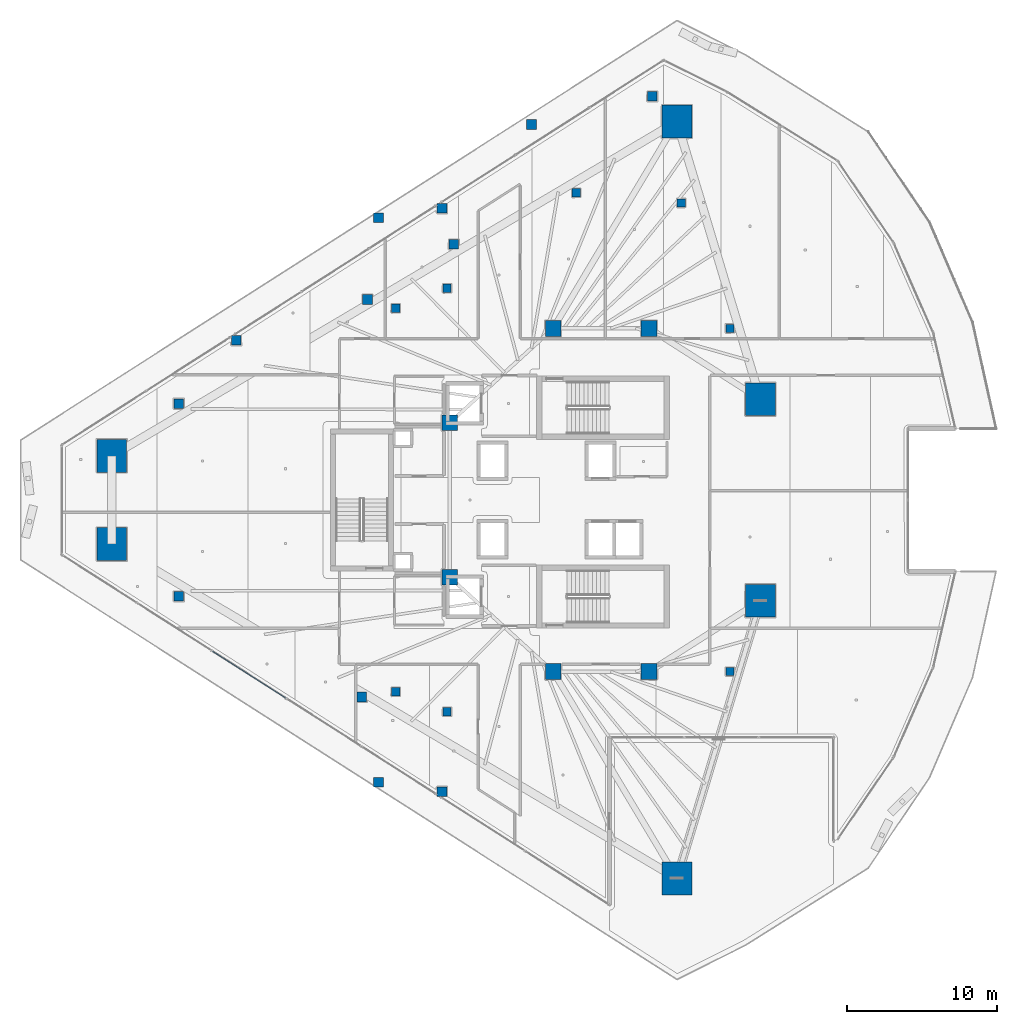
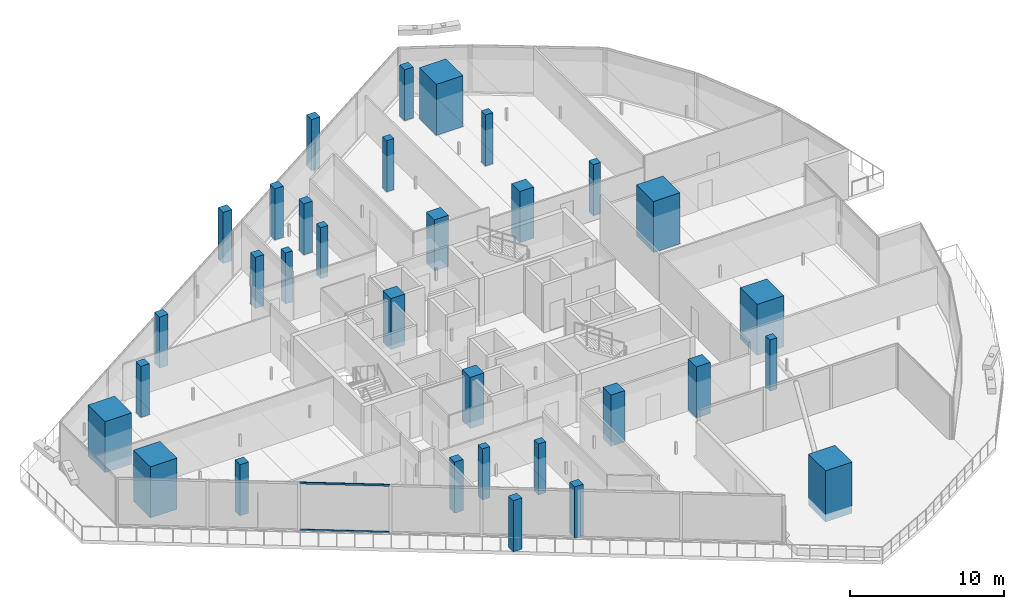
# One storey, part 1 of 38: 32 columns, 2 members, 1 element without a shape of its own.
"""IFC4 building model written with IfcOpenShell, lengths in metres."""

import ifcopenshell
import ifcopenshell.guid

model = None  # the IFC model being written
_history = None  # IfcOwnerHistory: only IFC2X3 demands one
_inside = {}  # id of a spatial element -> (the spatial element, [elements in it])
_under = {}  # id of a project, library or spatial element -> (it, [spatial elements below it])
_declared = {}  # id of a project -> (the project, [libraries it declares])
_typed = {}  # id of a type object -> (the type object, [elements of that type])
_made_of = {}  # id of a material, layer set ... -> (it, [elements and type objects made of it])


def new_model(schema):
    """Start an empty IFC model of exactly this schema.

    Asked for "IFC4X3", IfcOpenShell would pick the latest addendum, in which some entities
    have other attributes; the version numbers below select the first issue.
    IFC2X3 requires an IfcOwnerHistory on every rooted entity: one is made here for all.
    """
    global model, _history
    if schema == "IFC4X3":
        model = ifcopenshell.file(schema_version=(4, 3, 0, 0))
    else:
        model = ifcopenshell.file(schema=schema)
    _inside.clear()
    _under.clear()
    _declared.clear()
    _typed.clear()
    _made_of.clear()
    _history = None
    if model.schema == "IFC2X3":
        org = make("IfcOrganization", Name="unknown")
        user = make(
            "IfcPersonAndOrganization",
            ThePerson=make("IfcPerson", FamilyName="unknown"),
            TheOrganization=org,
        )
        app = make(
            "IfcApplication",
            ApplicationDeveloper=org,
            Version="unknown",
            ApplicationFullName="unknown",
            ApplicationIdentifier="unknown",
        )
        _history = make(
            "IfcOwnerHistory",
            OwningUser=user,
            OwningApplication=app,
            ChangeAction="ADDED",
            CreationDate=0,
        )
    return model


def make(cls, **values):
    """One entity of the class cls with the attributes given. An attribute that is None is left unset."""
    return model.create_entity(
        cls, **{name: value for name, value in values.items() if value is not None}
    )


def rooted(cls, **values):
    """An entity with a GlobalId (a new one), such as an element, a storey or a relation."""
    return make(cls, GlobalId=ifcopenshell.guid.new(), OwnerHistory=_history, **values)


def si_unit(unit_type, name, prefix=None):
    """IfcSIUnit, for example si_unit("LENGTHUNIT", "METRE", prefix="MILLI")."""
    return make("IfcSIUnit", UnitType=unit_type, Prefix=prefix, Name=name)


def assignment(units):
    """IfcUnitAssignment: the units of a project."""
    return None if units is None else make("IfcUnitAssignment", Units=units)


def point(xyz):
    """IfcCartesianPoint."""
    return None if xyz is None else make("IfcCartesianPoint", Coordinates=xyz)


def direction(xyz):
    """IfcDirection."""
    return None if xyz is None else make("IfcDirection", DirectionRatios=xyz)


def frame(location, z_axis=None, x_axis=None):
    """IfcAxis2Placement3D, a coordinate frame: its origin and axes. An axis left out is left unset."""
    return make(
        "IfcAxis2Placement3D",
        Location=point(location),
        Axis=direction(z_axis),
        RefDirection=direction(x_axis),
    )


def frame_2d(location, x_axis=None):
    """IfcAxis2Placement2D, a coordinate frame in the plane: its origin and x axis."""
    return make(
        "IfcAxis2Placement2D", Location=point(location), RefDirection=direction(x_axis)
    )


def origin():
    """The frame at (0, 0, 0) with its axes left unset."""
    return frame((0.0, 0.0, 0.0))


def origin_2d():
    """The frame at (0, 0) in the plane with its x axis left unset."""
    return frame_2d((0.0, 0.0))


def place(relative_to, where):
    """IfcLocalPlacement: puts the frame where relative to a parent placement (None: the world)."""
    return make(
        "IfcLocalPlacement", PlacementRelTo=relative_to, RelativePlacement=where
    )


def context(
    kind, dimensions, precision=None, world=None, true_north=None, identifier=None
):
    """IfcGeometricRepresentationContext, for example the 3D "Model" context."""
    return make(
        "IfcGeometricRepresentationContext",
        ContextIdentifier=identifier,
        ContextType=kind,
        CoordinateSpaceDimension=dimensions,
        Precision=precision,
        WorldCoordinateSystem=world,
        TrueNorth=true_north,
    )


def subcontext(parent, identifier, kind, view, scale=None):
    """IfcGeometricRepresentationSubContext, for example "Body" below "Model"."""
    return make(
        "IfcGeometricRepresentationSubContext",
        ContextIdentifier=identifier,
        ContextType=kind,
        ParentContext=parent,
        TargetScale=scale,
        TargetView=view,
    )


def project(units=None, contexts=None):
    """IfcProject with its units and contexts."""
    return rooted(
        "IfcProject",
        Name="project",
        RepresentationContexts=contexts,
        UnitsInContext=assignment(units),
    )


def spatial(cls, under=None, at=None, **own):
    """A site, building, storey or space (cls), placed at a placement, below another one or the project."""
    s = rooted(cls, ObjectPlacement=at, **own)
    if under is not None:
        _under.setdefault(under.id(), (under, []))[1].append(s)
    return s


def profile(cls, at=None, kind="AREA", **sizes):
    """A parametric profile (cls). Its sizes go by their IFC names, for example OverallWidth=200.0."""
    return make(cls, ProfileType=kind, Position=at, **sizes)


def rectangle(**sizes):
    """IfcRectangleProfileDef."""
    return profile("IfcRectangleProfileDef", **sizes)


def hollow_rectangle(**sizes):
    """IfcRectangleHollowProfileDef."""
    return profile("IfcRectangleHollowProfileDef", **sizes)


def extrude(swept, where, along, depth):
    """IfcExtrudedAreaSolid: the profile swept, set in the frame where, extruded along a direction by depth."""
    return make(
        "IfcExtrudedAreaSolid",
        SweptArea=swept,
        Position=where,
        ExtrudedDirection=direction(along),
        Depth=depth,
    )


def shape(context_of_items, identifier, shape_type, items):
    """IfcShapeRepresentation: the items that make up one representation, for example the "Body"."""
    return make(
        "IfcShapeRepresentation",
        ContextOfItems=context_of_items,
        RepresentationIdentifier=identifier,
        RepresentationType=shape_type,
        Items=items,
    )


def material(Name=None, Category=None):
    """IfcMaterial."""
    return make("IfcMaterial", Name=Name, Category=Category)


def layer(
    of_material, thickness, ventilated=None, Name=None, Category=None, Priority=None
):
    """IfcMaterialLayer: one layer of a wall or slab, of a material (None: an air gap)."""
    return make(
        "IfcMaterialLayer",
        Material=of_material,
        LayerThickness=thickness,
        IsVentilated=ventilated,
        Name=Name,
        Category=Category,
        Priority=Priority,
    )


def layer_set(layers, Name=None):
    """IfcMaterialLayerSet."""
    return make("IfcMaterialLayerSet", MaterialLayers=layers, LayerSetName=Name)


def material_profile(
    of_material, cross_section, Name=None, Category=None, Priority=None
):
    """IfcMaterialProfile: a cross section and its material."""
    return make(
        "IfcMaterialProfile",
        Name=Name,
        Material=of_material,
        Profile=cross_section,
        Priority=Priority,
        Category=Category,
    )


def profile_set(profiles, Name=None, composite=None):
    """IfcMaterialProfileSet."""
    return make(
        "IfcMaterialProfileSet",
        Name=Name,
        MaterialProfiles=profiles,
        CompositeProfile=composite,
    )


def made_of(thing, what):
    """Note that an element or type object is made of a material, layer set ...; save() writes the relation."""
    if what is not None:
        _made_of.setdefault(what.id(), (what, []))[1].append(thing)
    return thing


def type_object(cls, material=None, **own):
    """A type object (cls), such as IfcWallType, which elements share."""
    return made_of(rooted(cls, **own), material)


def element(
    cls,
    number,
    at=None,
    inside=None,
    cuts=None,
    type_object=None,
    material=None,
    context=None,
    identifier="Body",
    shape_type=None,
    held_by="IfcProductDefinitionShape",
    body=None,
    shapes=None,
    **own,
):
    """One element of the class cls, such as IfcWall. Its Tag is "e" and its number.

    at: its placement. inside: the storey or other place that contains it. cuts: it is an
    opening in that element (IfcRelVoidsElement). A single representation is given by context,
    identifier, shape_type and body (its items); several are given by shapes. held_by: the class
    of the entity that holds the representations. save() writes the other relations.
    """
    e = rooted(cls, Tag="e%d" % number, ObjectPlacement=at, **own)
    if body is not None:
        shapes = [shape(context, identifier, shape_type, body)]
    if shapes is not None:
        e.Representation = make(held_by, Representations=shapes)
    if inside is not None:
        _inside.setdefault(inside.id(), (inside, []))[1].append(e)
    if cuts is not None:
        rooted(
            "IfcRelVoidsElement", RelatingBuildingElement=cuts, RelatedOpeningElement=e
        )
    if type_object is not None:
        _typed.setdefault(type_object.id(), (type_object, []))[1].append(e)
    return made_of(e, material)


def aggregate(whole, parts):
    """IfcRelAggregates: a whole, such as a stair, and the parts it consists of."""
    return rooted("IfcRelAggregates", RelatingObject=whole, RelatedObjects=parts)


def save(model, path):
    """Write the relations noted so far, then the file.

    IfcRelAggregates (storeys below a building ...), IfcRelContainedInSpatialStructure (elements
    in a storey), IfcRelDefinesByType, IfcRelAssociatesMaterial and IfcRelDeclares: one each for
    every whole, place, type object, material and project.
    """
    for whole, parts in _under.values():
        aggregate(whole, parts)
    for where, things in _inside.values():
        rooted(
            "IfcRelContainedInSpatialStructure",
            RelatedElements=things,
            RelatingStructure=where,
        )
    for kind, things in _typed.values():
        rooted("IfcRelDefinesByType", RelatedObjects=things, RelatingType=kind)
    for what, things in _made_of.values():
        rooted("IfcRelAssociatesMaterial", RelatedObjects=things, RelatingMaterial=what)
    for by, libraries in _declared.values():
        rooted("IfcRelDeclares", RelatingContext=by, RelatedDefinitions=libraries)
    model.write(path)


model = new_model("IFC4")

# Units and contexts
model_context = context("Model", 3, precision=1e-05, world=origin(), true_north=direction((0.0, 1.0)))
body_context = subcontext(model_context, "Body", "Model", "MODEL_VIEW")
ifc_project = project(units=[si_unit("LENGTHUNIT", "METRE"), si_unit("AREAUNIT", "SQUARE_METRE"), si_unit("VOLUMEUNIT", "CUBIC_METRE"), si_unit("PLANEANGLEUNIT", "RADIAN"), si_unit("MASSUNIT", "GRAM", prefix="KILO")], contexts=[model_context])

# Site, building, storey
site_placement = place(None, origin())
site = spatial("IfcSite", under=ifc_project, at=site_placement, CompositionType="ELEMENT")
building_placement = place(site_placement, origin())
building = spatial("IfcBuilding", under=site, at=building_placement, Name="Qorvath Tower", CompositionType="ELEMENT")
storey_placement = place(building_placement, frame((0.0, 0.0, 158.39990234375)))
storey = spatial("IfcBuildingStorey", under=building, at=storey_placement, Name="L36", CompositionType="ELEMENT", Elevation=158.39990234375)

# Columns
ifc_material_1 = material(Name="Concrete C70/85", Category="concrete")
ifc_material_profile_1 = material_profile(ifc_material_1, rectangle(XDim=2.0, YDim=2.199951171875, at=origin_2d()), Name="MC 2200x2000")
ifc_profile_set_1 = profile_set([ifc_material_profile_1], Name="Concrete C70/85")
column_type_1 = type_object("IfcColumnType", Name="COL-MC2", PredefinedType="COLUMN", material=ifc_profile_set_1)
for number, where, z_axis, x_axis, name in (
    (1, (-53.04931640625, 2.95068359375, 0.0), (0.0, 0.0, 1.0), (1.0, 0.0, 0.0), "Composite Mega-Column MC1 L36"),
    (2, (-53.04931640625, -2.95068359375, 0.0), (0.0, 0.0, 1.0), (1.0, 0.0, 0.0), "Composite Mega-Column MC2 L36"),
    (3, (-15.34423828125, -25.24609375, 0.0), (0.0, 0.0, 1.0), (1.0, 0.0, 0.0), "Composite Mega-Column MC3 L36"),
    (4, (-9.770263671875, -6.721435546875, 0.0), (0.0, 0.0, 1.0), (1.0, 0.0, 0.0), "Composite Mega-Column MC4 L36"),
    (5, (-9.770263671875, 6.721435546875, 0.0), (0.0, 0.0, 1.0), (1.0, 0.0, 0.0), "Composite Mega-Column MC5 L36"),
    (6, (-15.34423828125, 25.24609375, 0.0), (0.0, 0.0, 1.0), (1.0, 0.0, 0.0), "Composite Mega-Column MC6 L36"),
):
    element("IfcColumn", number, at=place(storey_placement, frame(where, z_axis=z_axis, x_axis=x_axis)), inside=storey, type_object=column_type_1, Name=name, PredefinedType="COLUMN", context=body_context, shape_type="SweptSolid", body=[
        extrude(rectangle(XDim=2.0, YDim=2.199951171875, at=origin_2d()), origin(), (0.0, 0.0, 1.0), 4.050048828125),
    ])
ifc_material_2 = material(Name="Concrete C60/75", Category="concrete")
ifc_material_profile_2 = material_profile(ifc_material_2, rectangle(XDim=1.050048828125, YDim=1.050048828125, at=origin_2d()), Name="RC 1050x1050")
ifc_profile_set_2 = profile_set([ifc_material_profile_2], Name="Concrete C60/75")
column_type_2 = type_object("IfcColumnType", Name="COL-RC2", PredefinedType="COLUMN", material=ifc_profile_set_2)
for number, where, z_axis, x_axis, name in (
    (7, (-23.60009765625, 11.449951171875, 0.0), (0.0, 0.0, 1.0), (1.0, 0.0, 0.0), "Core Spine Column CC1 L36"),
    (8, (-17.199951171875, 11.449951171875, 0.0), (0.0, 0.0, 1.0), (1.0, 0.0, 0.0), "Core Spine Column CC2 L36"),
    (9, (-17.199951171875, -11.449951171875, 0.0), (0.0, 0.0, 1.0), (1.0, 0.0, 0.0), "Core Spine Column CC3 L36"),
    (10, (-23.60009765625, -11.449951171875, 0.0), (0.0, 0.0, 1.0), (1.0, 0.0, 0.0), "Core Spine Column CC4 L36"),
    (11, (-30.5, 5.14990234375, 0.0), (0.0, 0.0, 1.0), (1.0, 0.0, 0.0), "Core Spine Column CC5 L36"),
    (12, (-30.5, -5.14990234375, 0.0), (0.0, 0.0, 1.0), (1.0, 0.0, 0.0), "Core Spine Column CC6 L36"),
):
    element("IfcColumn", number, at=place(storey_placement, frame(where, z_axis=z_axis, x_axis=x_axis)), inside=storey, type_object=column_type_2, Name=name, PredefinedType="COLUMN", context=body_context, shape_type="SweptSolid", body=[
        extrude(rectangle(XDim=1.050048828125, YDim=1.050048828125, at=origin_2d()), origin(), (0.0, 0.0, 1.0), 4.050048828125),
    ])
ifc_material_3 = material(Name="Concrete C45/55", Category="concrete")
ifc_material_profile_3 = material_profile(ifc_material_3, rectangle(XDim=0.64990234375, YDim=0.64990234375, at=origin_2d()), Name="RC 650x650")
ifc_profile_set_3 = profile_set([ifc_material_profile_3], Name="Concrete C45/55")
column_type_3 = type_object("IfcColumnType", Name="COL-RC6", PredefinedType="COLUMN", material=ifc_profile_set_3)
for number, where, z_axis, x_axis, name in (
    (13, (-35.251708984375, 18.829345703125, 0.0), (0.0, 0.0, 1.0), (1.0, 0.0, 0.0), "Loggia Frame Pier Column LGC1 L36"),
    (14, (-35.251708984375, -18.829345703125, 0.0), (0.0, 0.0, 1.0), (1.0, 0.0, 0.0), "Loggia Frame Pier Column LGC2 L36"),
    (15, (-25.03759765625, 25.058837890625, 0.0), (0.0, 0.0, 1.0), (1.0, 0.0, 0.0), "Loggia Frame Pier Column LGC3 L36"),
    (16, (-31.01611328125, 19.46044921875, 0.0), (0.0, 0.0, 1.0), (1.0, 0.0, 0.0), "Loggia Frame Pier Column LGD1 L36"),
    (17, (-31.01611328125, -19.46044921875, 0.0), (0.0, 0.0, 1.0), (1.0, 0.0, 0.0), "Loggia Frame Pier Column LGD2 L36"),
    (18, (-44.736328125, 10.65234375, 0.0), (0.0, 0.0, 1.0), (1.0, 0.0, 0.0), "Loggia Frame Pier Column LGD3 L36"),
    (19, (-48.578369140625, 6.424560546875, 0.0), (0.0, 0.0, 1.0), (1.0, 0.0, 0.0), "Loggia Frame Pier Column LGE1 L36"),
    (20, (-48.578369140625, -6.424560546875, 0.0), (0.0, 0.0, 1.0), (1.0, 0.0, 0.0), "Loggia Frame Pier Column LGE2 L36"),
    (21, (-16.981201171875, 26.92919921875, 0.0), (0.0, 0.0, 1.0), (1.0, 0.0, 0.0), "Loggia Frame Pier Column LGE3 L36"),
    (22, (-35.980712890625, 13.380859375, 0.0), (0.0, 0.0, 1.0), (1.0, 0.0, 0.0), "Loggia Frame Pier Column LGF1 L36"),
    (23, (-36.36474609375, -13.135498046875, 0.0), (0.0, 0.0, 1.0), (1.0, 0.0, 0.0), "Loggia Frame Pier Column LGF2 L36"),
    (24, (-30.224853515625, 17.0595703125, 0.0), (0.0, 0.0, 1.0), (1.0, 0.0, 0.0), "Loggia Frame Pier Column LGF3 L36"),
):
    element("IfcColumn", number, at=place(storey_placement, frame(where, z_axis=z_axis, x_axis=x_axis)), inside=storey, type_object=column_type_3, Name=name, PredefinedType="COLUMN", context=body_context, shape_type="SweptSolid", body=[
        extrude(rectangle(XDim=0.64990234375, YDim=0.64990234375, at=origin_2d()), origin(), (0.0, 0.0, 1.0), 4.050048828125),
    ])
ifc_material_4 = material(Name="Concrete C45/55", Category="concrete")
ifc_material_profile_4 = material_profile(ifc_material_4, rectangle(XDim=0.550048828125, YDim=0.550048828125, at=origin_2d()), Name="RC 550x550")
ifc_profile_set_4 = profile_set([ifc_material_profile_4], Name="Concrete C45/55")
column_type_4 = type_object("IfcColumnType", Name="COL-RC7", PredefinedType="COLUMN", material=ifc_profile_set_4)
for number, where, z_axis, x_axis, name in (
    (25, (-34.104248046875, 12.79248046875, 0.0), (0.0, 0.0, 1.0), (1.0, 0.0, 0.0), "Loggia Frame Pier Column LGG1 L36"),
    (26, (-34.104248046875, -12.79248046875, 0.0), (0.0, 0.0, 1.0), (1.0, 0.0, 0.0), "Loggia Frame Pier Column LGG2 L36"),
    (27, (-22.05322265625, 20.494873046875, 0.0), (0.0, 0.0, 1.0), (1.0, 0.0, 0.0), "Loggia Frame Pier Column LGG3 L36"),
    (28, (-30.67724609375, 14.124267578125, 0.0), (0.0, 0.0, 1.0), (1.0, 0.0, 0.0), "Loggia Frame Pier Column LGH1 L36"),
    (29, (-30.67724609375, -14.124267578125, 0.0), (0.0, 0.0, 1.0), (1.0, 0.0, 0.0), "Loggia Frame Pier Column LGH2 L36"),
    (30, (-15.046142578125, 19.818115234375, 0.0), (0.0, 0.0, 1.0), (1.0, 0.0, 0.0), "Loggia Frame Pier Column LGH3 L36"),
    (31, (-11.800048828125, -11.449951171875, 0.0), (0.0, 0.0, 1.0), (1.0, 0.0, 0.0), "Central Slot Jamb Column SC1 L36"),
    (32, (-11.800048828125, 11.449951171875, 0.0), (0.0, 0.0, 1.0), (1.0, 0.0, 0.0), "Central Slot Jamb Column SC2 L36"),
):
    element("IfcColumn", number, at=place(storey_placement, frame(where, z_axis=z_axis, x_axis=x_axis)), inside=storey, type_object=column_type_4, Name=name, PredefinedType="COLUMN", context=body_context, shape_type="SweptSolid", body=[
        extrude(rectangle(XDim=0.550048828125, YDim=0.550048828125, at=origin_2d()), origin(), (0.0, 0.0, 1.0), 4.050048828125),
    ])

# Curtain wall, members
ifc_material_5 = material(Name="Anodised aluminium and triple low-E glass", Category="aluminium")
ifc_layer = layer(ifc_material_5, 0.179931640625)
ifc_layer_set = layer_set([ifc_layer], Name="CW-SYS-5")
curtain_wall_type = type_object("IfcCurtainWallType", Name="CW-SYS-5", PredefinedType="NOTDEFINED", material=ifc_layer_set)
curtain_wall_placement = place(storey_placement, origin())
curtain_wall = element("IfcCurtainWall", 33, at=curtain_wall_placement, inside=storey, type_object=curtain_wall_type, Name="Curtain Wall CW-5 CW-T-L36-18.1", PredefinedType="NOTDEFINED")
ifc_material_6 = material(Name="Anodised aluminium 6063-T6", Category="aluminium")
ifc_material_profile_5 = material_profile(ifc_material_6, hollow_rectangle(XDim=0.06494140625, YDim=0.159912109375, WallThickness=0.00341796875, InnerFilletRadius=0.00341796875, OuterFilletRadius=0.007080078125, at=origin_2d()), Name="CWT 160x65")
ifc_profile_set_5 = profile_set([ifc_material_profile_5], Name="Anodised aluminium 6063-T6")
member_type = type_object("IfcMemberType", Name="CWT-160", PredefinedType="USERDEFINED", material=ifc_profile_set_5)
member_1_placement = place(storey_placement, frame((-46.352294921875, -10.077392578125, 0.032470703125), z_axis=(0.842614842364, -0.538516691875, 0.0), x_axis=(0.538516691875, 0.842614842364, 0.0)))
member_1 = element("IfcMember", 34, at=member_1_placement, type_object=member_type, Name="CW-5 transom 3.1", ObjectType="TRANSOM", PredefinedType="USERDEFINED", context=body_context, shape_type="SweptSolid", body=[
    extrude(hollow_rectangle(XDim=0.06494140625, YDim=0.159912109375, WallThickness=0.00341796875, InnerFilletRadius=0.00341796875, OuterFilletRadius=0.007080078125, at=origin_2d()), origin(), (0.0, 0.0, 1.0), 5.8583984375),
])
member_2_placement = place(storey_placement, frame((-46.352294921875, -10.077392578125, 3.74755859375), z_axis=(0.842614842364, -0.538516691875, 0.0), x_axis=(0.538516691875, 0.842614842364, 0.0)))
member_2 = element("IfcMember", 35, at=member_2_placement, type_object=member_type, Name="CW-5 transom 3.2", ObjectType="TRANSOM", PredefinedType="USERDEFINED", context=body_context, shape_type="SweptSolid", body=[
    extrude(hollow_rectangle(XDim=0.06494140625, YDim=0.159912109375, WallThickness=0.00341796875, InnerFilletRadius=0.00341796875, OuterFilletRadius=0.007080078125, at=origin_2d()), origin(), (0.0, 0.0, 1.0), 5.8583984375),
])
aggregate(curtain_wall, [member_1, member_2])

save(model, "model.ifc")
